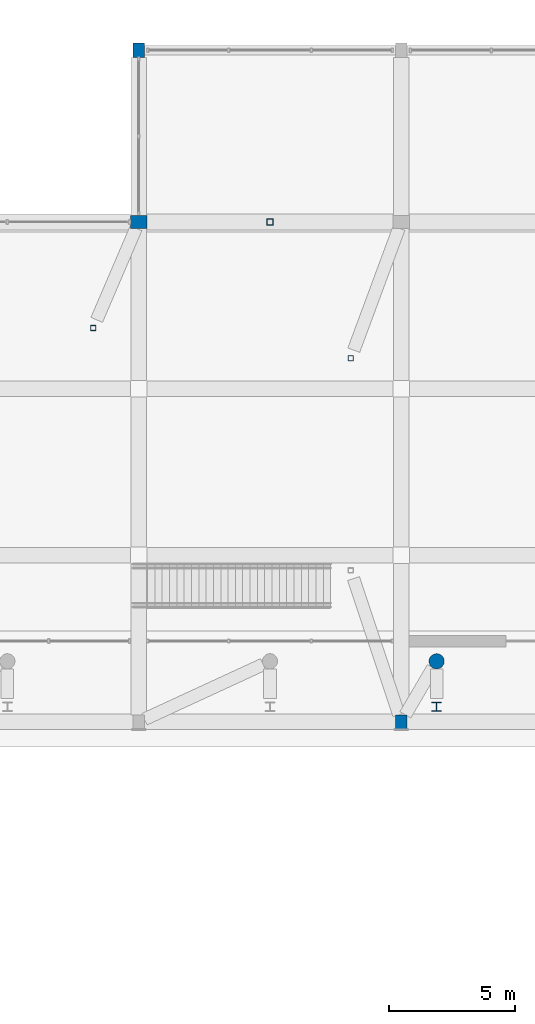
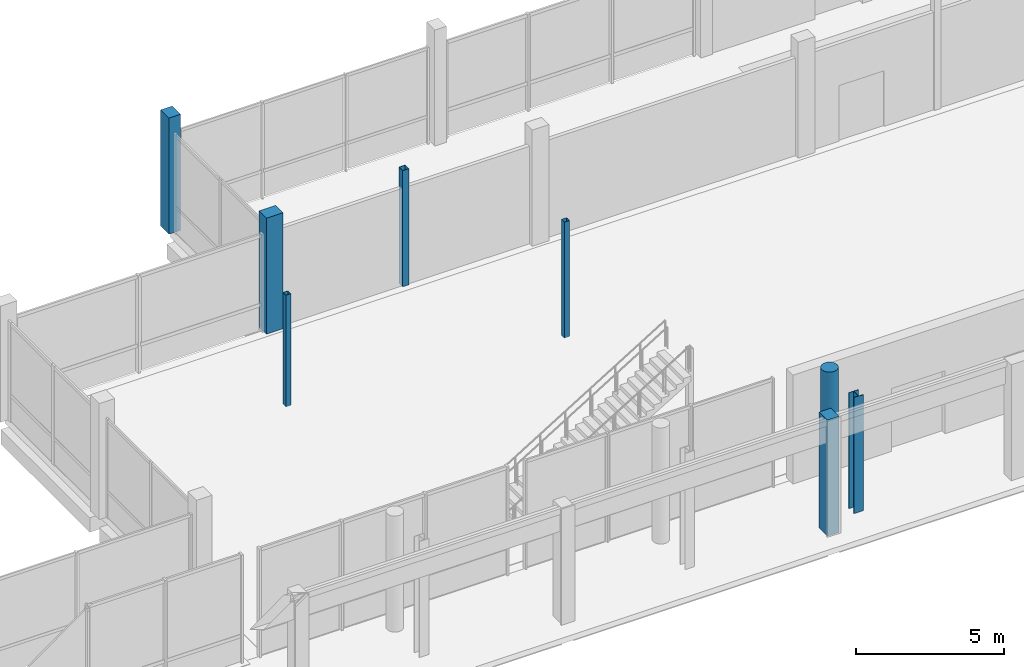
# One storey, part 8 of 88: 8 columns.
"""IFC4 building model written with IfcOpenShell, lengths in metres."""

import ifcopenshell
import ifcopenshell.guid

model = None  # the IFC model being written
_history = None  # IfcOwnerHistory: only IFC2X3 demands one
_inside = {}  # id of a spatial element -> (the spatial element, [elements in it])
_under = {}  # id of a project, library or spatial element -> (it, [spatial elements below it])
_declared = {}  # id of a project -> (the project, [libraries it declares])
_typed = {}  # id of a type object -> (the type object, [elements of that type])
_made_of = {}  # id of a material, layer set ... -> (it, [elements and type objects made of it])


def new_model(schema):
    """Start an empty IFC model of exactly this schema.

    Asked for "IFC4X3", IfcOpenShell would pick the latest addendum, in which some entities
    have other attributes; the version numbers below select the first issue.
    IFC2X3 requires an IfcOwnerHistory on every rooted entity: one is made here for all.
    """
    global model, _history
    if schema == "IFC4X3":
        model = ifcopenshell.file(schema_version=(4, 3, 0, 0))
    else:
        model = ifcopenshell.file(schema=schema)
    _inside.clear()
    _under.clear()
    _declared.clear()
    _typed.clear()
    _made_of.clear()
    _history = None
    if model.schema == "IFC2X3":
        org = make("IfcOrganization", Name="unknown")
        user = make(
            "IfcPersonAndOrganization",
            ThePerson=make("IfcPerson", FamilyName="unknown"),
            TheOrganization=org,
        )
        app = make(
            "IfcApplication",
            ApplicationDeveloper=org,
            Version="unknown",
            ApplicationFullName="unknown",
            ApplicationIdentifier="unknown",
        )
        _history = make(
            "IfcOwnerHistory",
            OwningUser=user,
            OwningApplication=app,
            ChangeAction="ADDED",
            CreationDate=0,
        )
    return model


def make(cls, **values):
    """One entity of the class cls with the attributes given. An attribute that is None is left unset."""
    return model.create_entity(
        cls, **{name: value for name, value in values.items() if value is not None}
    )


def rooted(cls, **values):
    """An entity with a GlobalId (a new one), such as an element, a storey or a relation."""
    return make(cls, GlobalId=ifcopenshell.guid.new(), OwnerHistory=_history, **values)


def si_unit(unit_type, name, prefix=None):
    """IfcSIUnit, for example si_unit("LENGTHUNIT", "METRE", prefix="MILLI")."""
    return make("IfcSIUnit", UnitType=unit_type, Prefix=prefix, Name=name)


def derived_unit(unit_type, elements):
    """IfcDerivedUnit: a product of units, each with its exponent."""
    return make(
        "IfcDerivedUnit",
        Elements=[
            make("IfcDerivedUnitElement", Unit=unit, Exponent=power)
            for unit, power in elements
        ],
        UnitType=unit_type,
    )


def assignment(units):
    """IfcUnitAssignment: the units of a project."""
    return None if units is None else make("IfcUnitAssignment", Units=units)


def point(xyz):
    """IfcCartesianPoint."""
    return None if xyz is None else make("IfcCartesianPoint", Coordinates=xyz)


def direction(xyz):
    """IfcDirection."""
    return None if xyz is None else make("IfcDirection", DirectionRatios=xyz)


def frame(location, z_axis=None, x_axis=None):
    """IfcAxis2Placement3D, a coordinate frame: its origin and axes. An axis left out is left unset."""
    return make(
        "IfcAxis2Placement3D",
        Location=point(location),
        Axis=direction(z_axis),
        RefDirection=direction(x_axis),
    )


def frame_2d(location, x_axis=None):
    """IfcAxis2Placement2D, a coordinate frame in the plane: its origin and x axis."""
    return make(
        "IfcAxis2Placement2D", Location=point(location), RefDirection=direction(x_axis)
    )


def origin():
    """The frame at (0, 0, 0) with its axes left unset."""
    return frame((0.0, 0.0, 0.0))


def origin_2d():
    """The frame at (0, 0) in the plane with its x axis left unset."""
    return frame_2d((0.0, 0.0))


def place(relative_to, where):
    """IfcLocalPlacement: puts the frame where relative to a parent placement (None: the world)."""
    return make(
        "IfcLocalPlacement", PlacementRelTo=relative_to, RelativePlacement=where
    )


def context(
    kind, dimensions, precision=None, world=None, true_north=None, identifier=None
):
    """IfcGeometricRepresentationContext, for example the 3D "Model" context."""
    return make(
        "IfcGeometricRepresentationContext",
        ContextIdentifier=identifier,
        ContextType=kind,
        CoordinateSpaceDimension=dimensions,
        Precision=precision,
        WorldCoordinateSystem=world,
        TrueNorth=true_north,
    )


def subcontext(parent, identifier, kind, view, scale=None):
    """IfcGeometricRepresentationSubContext, for example "Body" below "Model"."""
    return make(
        "IfcGeometricRepresentationSubContext",
        ContextIdentifier=identifier,
        ContextType=kind,
        ParentContext=parent,
        TargetScale=scale,
        TargetView=view,
    )


def project(units=None, contexts=None):
    """IfcProject with its units and contexts."""
    return rooted(
        "IfcProject",
        Name="project",
        RepresentationContexts=contexts,
        UnitsInContext=assignment(units),
    )


def spatial(cls, under=None, at=None, **own):
    """A site, building, storey or space (cls), placed at a placement, below another one or the project."""
    s = rooted(cls, ObjectPlacement=at, **own)
    if under is not None:
        _under.setdefault(under.id(), (under, []))[1].append(s)
    return s


def profile(cls, at=None, kind="AREA", **sizes):
    """A parametric profile (cls). Its sizes go by their IFC names, for example OverallWidth=200.0."""
    return make(cls, ProfileType=kind, Position=at, **sizes)


def rectangle(**sizes):
    """IfcRectangleProfileDef."""
    return profile("IfcRectangleProfileDef", **sizes)


def hollow_rectangle(**sizes):
    """IfcRectangleHollowProfileDef."""
    return profile("IfcRectangleHollowProfileDef", **sizes)


def circle(**sizes):
    """IfcCircleProfileDef."""
    return profile("IfcCircleProfileDef", **sizes)


def i_section(**sizes):
    """IfcIShapeProfileDef."""
    return profile("IfcIShapeProfileDef", **sizes)


def extrude(swept, where, along, depth):
    """IfcExtrudedAreaSolid: the profile swept, set in the frame where, extruded along a direction by depth."""
    return make(
        "IfcExtrudedAreaSolid",
        SweptArea=swept,
        Position=where,
        ExtrudedDirection=direction(along),
        Depth=depth,
    )


def shape(context_of_items, identifier, shape_type, items):
    """IfcShapeRepresentation: the items that make up one representation, for example the "Body"."""
    return make(
        "IfcShapeRepresentation",
        ContextOfItems=context_of_items,
        RepresentationIdentifier=identifier,
        RepresentationType=shape_type,
        Items=items,
    )


def material(Name=None, Category=None):
    """IfcMaterial."""
    return make("IfcMaterial", Name=Name, Category=Category)


def material_profile(
    of_material, cross_section, Name=None, Category=None, Priority=None
):
    """IfcMaterialProfile: a cross section and its material."""
    return make(
        "IfcMaterialProfile",
        Name=Name,
        Material=of_material,
        Profile=cross_section,
        Priority=Priority,
        Category=Category,
    )


def profile_set(profiles, Name=None, composite=None):
    """IfcMaterialProfileSet."""
    return make(
        "IfcMaterialProfileSet",
        Name=Name,
        MaterialProfiles=profiles,
        CompositeProfile=composite,
    )


def made_of(thing, what):
    """Note that an element or type object is made of a material, layer set ...; save() writes the relation."""
    if what is not None:
        _made_of.setdefault(what.id(), (what, []))[1].append(thing)
    return thing


def type_object(cls, material=None, **own):
    """A type object (cls), such as IfcWallType, which elements share."""
    return made_of(rooted(cls, **own), material)


def element(
    cls,
    number,
    at=None,
    inside=None,
    cuts=None,
    type_object=None,
    material=None,
    context=None,
    identifier="Body",
    shape_type=None,
    held_by="IfcProductDefinitionShape",
    body=None,
    shapes=None,
    **own,
):
    """One element of the class cls, such as IfcWall. Its Tag is "e" and its number.

    at: its placement. inside: the storey or other place that contains it. cuts: it is an
    opening in that element (IfcRelVoidsElement). A single representation is given by context,
    identifier, shape_type and body (its items); several are given by shapes. held_by: the class
    of the entity that holds the representations. save() writes the other relations.
    """
    e = rooted(cls, Tag="e%d" % number, ObjectPlacement=at, **own)
    if body is not None:
        shapes = [shape(context, identifier, shape_type, body)]
    if shapes is not None:
        e.Representation = make(held_by, Representations=shapes)
    if inside is not None:
        _inside.setdefault(inside.id(), (inside, []))[1].append(e)
    if cuts is not None:
        rooted(
            "IfcRelVoidsElement", RelatingBuildingElement=cuts, RelatedOpeningElement=e
        )
    if type_object is not None:
        _typed.setdefault(type_object.id(), (type_object, []))[1].append(e)
    return made_of(e, material)


def aggregate(whole, parts):
    """IfcRelAggregates: a whole, such as a stair, and the parts it consists of."""
    return rooted("IfcRelAggregates", RelatingObject=whole, RelatedObjects=parts)


def save(model, path):
    """Write the relations noted so far, then the file.

    IfcRelAggregates (storeys below a building ...), IfcRelContainedInSpatialStructure (elements
    in a storey), IfcRelDefinesByType, IfcRelAssociatesMaterial and IfcRelDeclares: one each for
    every whole, place, type object, material and project.
    """
    for whole, parts in _under.values():
        aggregate(whole, parts)
    for where, things in _inside.values():
        rooted(
            "IfcRelContainedInSpatialStructure",
            RelatedElements=things,
            RelatingStructure=where,
        )
    for kind, things in _typed.values():
        rooted("IfcRelDefinesByType", RelatedObjects=things, RelatingType=kind)
    for what, things in _made_of.values():
        rooted("IfcRelAssociatesMaterial", RelatedObjects=things, RelatingMaterial=what)
    for by, libraries in _declared.values():
        rooted("IfcRelDeclares", RelatingContext=by, RelatedDefinitions=libraries)
    model.write(path)


model = new_model("IFC4")

# Units and contexts
model_context = context("Model", 3, precision=1e-05, world=origin(), true_north=direction((0.0, 1.0)))
body_context = subcontext(model_context, "Body", "Model", "MODEL_VIEW")
ifc_project = project(units=[si_unit("LENGTHUNIT", "METRE"), si_unit("AREAUNIT", "SQUARE_METRE"), si_unit("VOLUMEUNIT", "CUBIC_METRE"), si_unit("PLANEANGLEUNIT", "RADIAN"), si_unit("MASSUNIT", "GRAM", prefix="KILO"), derived_unit("THERMALTRANSMITTANCEUNIT", [(si_unit("POWERUNIT", "WATT"), 1), (si_unit("LENGTHUNIT", "METRE"), -2), (si_unit("THERMODYNAMICTEMPERATUREUNIT", "KELVIN"), -1)])], contexts=[model_context])

# Site, building, storey
site_placement = place(None, origin())
site = spatial("IfcSite", under=ifc_project, at=site_placement, CompositionType="ELEMENT")
building_placement = place(site_placement, origin())
building = spatial("IfcBuilding", under=site, at=building_placement, Name="Braskholm Square Health Centre", CompositionType="ELEMENT")
storey_placement = place(building_placement, origin())
storey = spatial("IfcBuildingStorey", under=building, at=storey_placement, Name="L01", CompositionType="ELEMENT", Elevation=0.0)

# Columns
ifc_material_1 = material(Name="Concrete C40/50 (f'c = 40 MPa)", Category="concrete")
ifc_material_profile_1 = material_profile(ifc_material_1, rectangle(XDim=0.64990234375, YDim=0.5, at=origin_2d()), Name="RC-650X500")
ifc_profile_set_1 = profile_set([ifc_material_profile_1], Name="Concrete C40/50 (f'c = 40 MPa)")
column_type_1 = type_object("IfcColumnType", Name="ColHallPier650x500", PredefinedType="COLUMN", material=ifc_profile_set_1)
column_1_placement = place(storey_placement, frame((58.0, 107.0, 0.0), z_axis=(0.0, 0.0, 1.0), x_axis=(1.0, 0.0, 0.0)))
element("IfcColumn", 1, at=column_1_placement, inside=storey, type_object=column_type_1, Name="Column 9/R L01", PredefinedType="COLUMN", context=body_context, shape_type="SweptSolid", body=[
    extrude(rectangle(XDim=0.64990234375, YDim=0.5, at=origin_2d()), origin(), (0.0, 0.0, 1.0), 4.800048828125),
])
ifc_material_2 = material(Name="Precast concrete C40/50 architectural white", Category="concrete")
ifc_material_profile_2 = material_profile(ifc_material_2, rectangle(XDim=0.4599609375, YDim=0.56005859375, at=origin_2d()), Name="RC-460X560")
ifc_profile_set_2 = profile_set([ifc_material_profile_2], Name="Precast concrete C40/50 architectural white")
column_type_2 = type_object("IfcColumnType", Name="ColPrecastFrame460x560", PredefinedType="COLUMN", material=ifc_profile_set_2)
for number, where, z_axis, x_axis, name in (
    (2, (58.0, 113.800048828125, 0.0), (0.0, 0.0, 1.0), (1.0, 0.0, 0.0), "Column 9/S L01"),
    (3, (68.39990234375, 87.199951171875, 0.0), (0.0, 0.0, 1.0), (1.0, 0.0, 0.0), "Column 10/N L01"),
):
    element("IfcColumn", number, at=place(storey_placement, frame(where, z_axis=z_axis, x_axis=x_axis)), inside=storey, type_object=column_type_2, Name=name, PredefinedType="COLUMN", context=body_context, shape_type="SweptSolid", body=[
        extrude(rectangle(XDim=0.4599609375, YDim=0.56005859375, at=origin_2d()), origin(), (0.0, 0.0, 1.0), 4.800048828125),
    ])
ifc_material_profile_3 = material_profile(ifc_material_1, circle(Radius=0.300048828125, at=origin_2d()), Name="RC-RND-600")
ifc_profile_set_3 = profile_set([ifc_material_profile_3], Name="Concrete C40/50 (f'c = 40 MPa)")
column_type_3 = type_object("IfcColumnType", Name="ColRoundConcourse600", PredefinedType="COLUMN", material=ifc_profile_set_3)
column_2_placement = place(storey_placement, frame((69.800048828125, 89.60009765625, 0.0), z_axis=(0.0, 0.0, 1.0), x_axis=(1.0, 0.0, 0.0)))
element("IfcColumn", 4, at=column_2_placement, inside=storey, type_object=column_type_3, Name="Column RC03 L01", PredefinedType="COLUMN", context=body_context, shape_type="SweptSolid", body=[
    extrude(circle(Radius=0.300048828125, at=origin_2d()), origin(), (0.0, 0.0, 1.0), 4.800048828125),
])
ifc_material_3 = material(Name="Steel ASTM A500 Grade C", Category="steel")
ifc_material_profile_4 = material_profile(ifc_material_3, hollow_rectangle(XDim=0.25390625, YDim=0.25390625, WallThickness=0.01171875, at=origin_2d()), Name="HSS10X10X1/2")
ifc_profile_set_4 = profile_set([ifc_material_profile_4], Name="Steel ASTM A500 Grade C")
column_type_4 = type_object("IfcColumnType", Name="ColSteelCanopyHSS10", PredefinedType="COLUMN", material=ifc_profile_set_4)
column_3_placement = place(storey_placement, frame((63.199951171875, 107.0, 0.0), z_axis=(0.0, 0.0, 1.0), x_axis=(1.0, 0.0, 0.0)))
element("IfcColumn", 5, at=column_3_placement, inside=storey, type_object=column_type_4, Name="Column CS2D L01", PredefinedType="COLUMN", context=body_context, shape_type="SweptSolid", body=[
    extrude(hollow_rectangle(XDim=0.25390625, YDim=0.25390625, WallThickness=0.01171875, at=origin_2d()), origin(), (0.0, 0.0, 1.0), 4.800048828125),
])
ifc_material_4 = material(Name="Steel ASTM A992 Grade 50", Category="steel")
ifc_material_profile_5 = material_profile(ifc_material_4, i_section(OverallWidth=0.368896484375, OverallDepth=0.35595703125, WebThickness=0.01123046875, FlangeThickness=0.01806640625, at=origin_2d()), Name="W14X90")
ifc_profile_set_5 = profile_set([ifc_material_profile_5], Name="Steel ASTM A992 Grade 50")
column_type_5 = type_object("IfcColumnType", Name="ColSteelHallW14X90", PredefinedType="COLUMN", material=ifc_profile_set_5)
column_4_placement = place(storey_placement, frame((69.800048828125, 87.800048828125, 0.0), z_axis=(0.0, 0.0, 1.0), x_axis=(1.0, 0.0, 0.0)))
element("IfcColumn", 6, at=column_4_placement, inside=storey, type_object=column_type_5, Name="Column CS1C L01", PredefinedType="COLUMN", context=body_context, shape_type="SweptSolid", body=[
    extrude(i_section(OverallWidth=0.368896484375, OverallDepth=0.35595703125, WebThickness=0.01123046875, FlangeThickness=0.01806640625, at=origin_2d()), origin(), (0.0, 0.0, 1.0), 4.800048828125),
])
ifc_material_profile_6 = material_profile(ifc_material_3, hollow_rectangle(XDim=0.203125, YDim=0.203125, WallThickness=0.0087890625, at=origin_2d()), Name="HSS8X8X3/8")
ifc_profile_set_6 = profile_set([ifc_material_profile_6], Name="Steel ASTM A500 Grade C")
column_type_6 = type_object("IfcColumnType", Name="ColSteelPorchHSS8", PredefinedType="COLUMN", material=ifc_profile_set_6)
column_5_placement = place(storey_placement, frame((56.199951171875, 102.800048828125, 0.0), z_axis=(0.0, 0.0, 1.0), x_axis=(1.0, 0.0, 0.0)))
element("IfcColumn", 7, at=column_5_placement, inside=storey, type_object=column_type_6, Name="Column CS3G L01", PredefinedType="COLUMN", context=body_context, shape_type="SweptSolid", body=[
    extrude(hollow_rectangle(XDim=0.203125, YDim=0.203125, WallThickness=0.0087890625, at=origin_2d()), origin(), (0.0, 0.0, 1.0), 4.6201171875),
])
column_6_placement = place(storey_placement, frame((66.39990234375, 101.60009765625, 0.0), z_axis=(0.0, 0.0, 1.0), x_axis=(1.0, 0.0, 0.0)))
element("IfcColumn", 8, at=column_6_placement, inside=storey, type_object=column_type_6, Name="Column CS3J L01", PredefinedType="COLUMN", context=body_context, shape_type="SweptSolid", body=[
    extrude(hollow_rectangle(XDim=0.203125, YDim=0.203125, WallThickness=0.0087890625, at=origin_2d()), origin(), (0.0, 0.0, 1.0), 4.800048828125),
])

save(model, "model.ifc")
